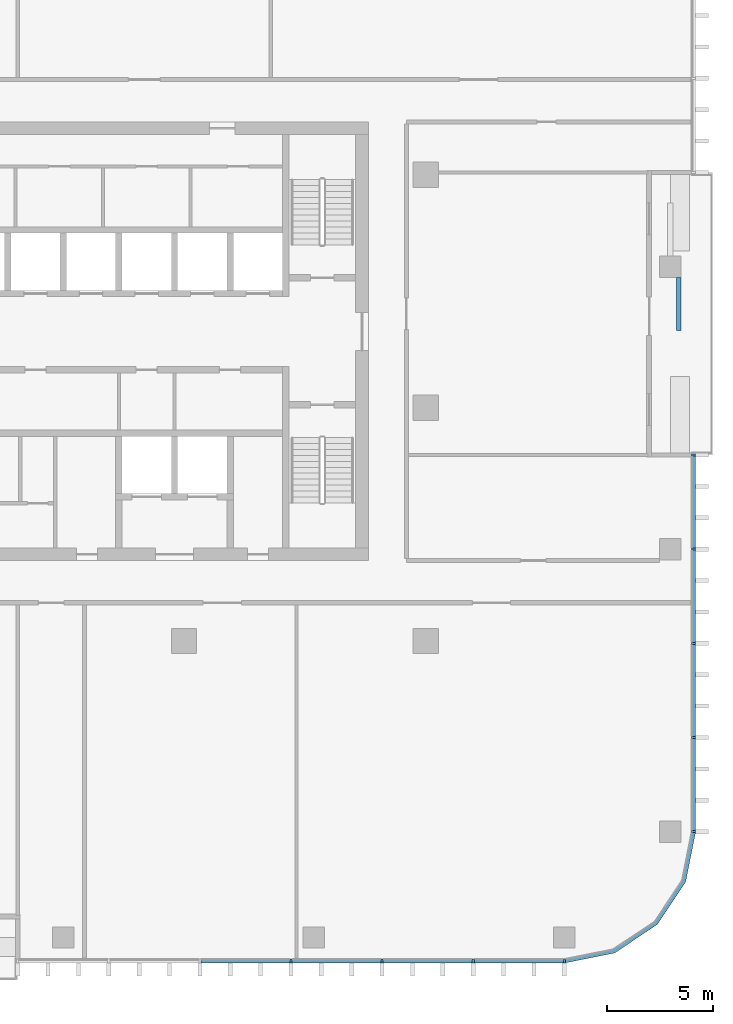
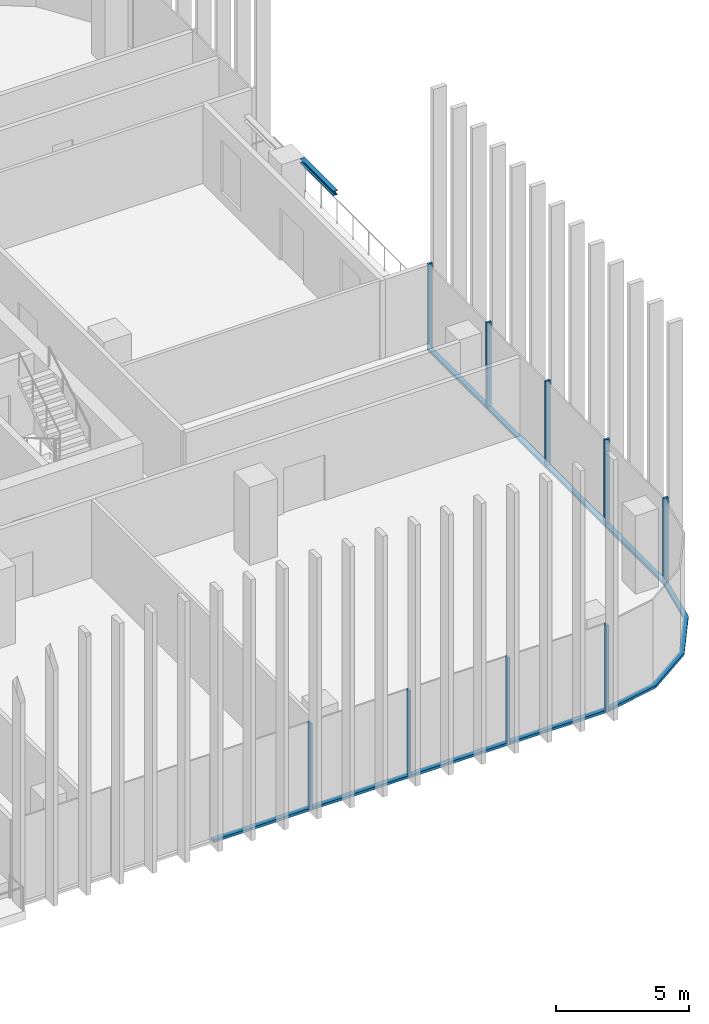
# One storey, part 3 of 16: 18 members, 1 beam, 3 elements without a shape of their own.
"""IFC4 building model written with IfcOpenShell, lengths in metres."""

from ifc_helpers import new_model, si_unit, direction, frame, origin, origin_2d, place, context, subcontext, project, spatial, polyline, rectangle, i_section, outline, extrude, material, material_profile, profile_set, type_object, element, aggregate, save


model = new_model("IFC4")

# Units and contexts
model_context = context("Model", 3, precision=1e-05, world=origin(), true_north=direction((0.0, 1.0)))
body_context = subcontext(model_context, "Body", "Model", "MODEL_VIEW")
ifc_project = project(units=[si_unit("LENGTHUNIT", "METRE"), si_unit("AREAUNIT", "SQUARE_METRE"), si_unit("VOLUMEUNIT", "CUBIC_METRE"), si_unit("PLANEANGLEUNIT", "RADIAN"), si_unit("MASSUNIT", "GRAM", prefix="KILO")], contexts=[model_context])

# Site, building, storey
site_placement = place(None, origin())
site = spatial("IfcSite", under=ifc_project, at=site_placement, CompositionType="ELEMENT")
building_placement = place(site_placement, origin())
building = spatial("IfcBuilding", under=site, at=building_placement, Name="Mopane Tessera Tower", CompositionType="ELEMENT")
storey_placement = place(building_placement, frame((0.0, 0.0, 291.39990234375)))
storey = spatial("IfcBuildingStorey", under=building, at=storey_placement, Name="L63", CompositionType="ELEMENT", Elevation=291.39990234375)

# Curtain wall, members
ifc_material_1 = material(Name="Aluminium frame", Category="aluminium")
curtain_wall_type = type_object("IfcCurtainWallType", Name="Unitised curtain wall", PredefinedType="NOTDEFINED", material=ifc_material_1)
curtain_wall_1_placement = place(storey_placement, origin())
curtain_wall_1 = element("IfcCurtainWall", 1, at=curtain_wall_1_placement, inside=storey, type_object=curtain_wall_type, Name="e:cw:L63:S:5", PredefinedType="NOTDEFINED")
ifc_material_2 = material(Name="Aluminium frame", Category="aluminium")
ifc_material_profile_1 = material_profile(ifc_material_2, rectangle(XDim=0.10009765625, YDim=0.199951171875, at=origin_2d()))
ifc_profile_set_1 = profile_set([ifc_material_profile_1], Name="Aluminium frame")
member_type_1 = type_object("IfcMemberType", Name="Aluminium mullion 100 x 200", PredefinedType="MULLION", material=ifc_profile_set_1)
member_1_placement = place(storey_placement, frame((10.75, -26.10009765625, -0.39990234375), z_axis=(0.0, 0.0, 1.0), x_axis=(1.0, 0.0, 0.0)))
member_1 = element("IfcMember", 2, at=member_1_placement, type_object=member_type_1, Name="e:cw:L63:S:5:mu8", PredefinedType="MULLION", context=body_context, shape_type="SweptSolid", body=[
    extrude(rectangle(XDim=0.10009765625, YDim=0.199951171875, at=origin_2d()), origin(), (0.0, 0.0, 1.0), 4.0),
])
member_2_placement = place(storey_placement, frame((15.050048828125, -26.10009765625, -0.39990234375), z_axis=(0.0, 0.0, 1.0), x_axis=(1.0, 0.0, 0.0)))
member_2 = element("IfcMember", 3, at=member_2_placement, type_object=member_type_1, Name="e:cw:L63:S:5:mu9", PredefinedType="MULLION", context=body_context, shape_type="SweptSolid", body=[
    extrude(rectangle(XDim=0.10009765625, YDim=0.199951171875, at=origin_2d()), origin(), (0.0, 0.0, 1.0), 4.0),
])
member_3_placement = place(storey_placement, frame((19.35009765625, -26.10009765625, -0.39990234375), z_axis=(0.0, 0.0, 1.0), x_axis=(1.0, 0.0, 0.0)))
member_3 = element("IfcMember", 4, at=member_3_placement, type_object=member_type_1, Name="e:cw:L63:S:5:mu10", PredefinedType="MULLION", context=body_context, shape_type="SweptSolid", body=[
    extrude(rectangle(XDim=0.10009765625, YDim=0.199951171875, at=origin_2d()), origin(), (0.0, 0.0, 1.0), 4.0),
])
member_4_placement = place(storey_placement, frame((23.64990234375, -26.10009765625, -0.39990234375), z_axis=(0.0, 0.0, 1.0), x_axis=(1.0, 0.0, 0.0)))
member_4 = element("IfcMember", 5, at=member_4_placement, type_object=member_type_1, Name="e:cw:L63:S:5:mu11", PredefinedType="MULLION", context=body_context, shape_type="SweptSolid", body=[
    extrude(rectangle(XDim=0.10009765625, YDim=0.199951171875, at=origin_2d()), origin(), (0.0, 0.0, 1.0), 4.0),
])

curtain_wall_2_placement = place(storey_placement, origin())
curtain_wall_2 = element("IfcCurtainWall", 6, at=curtain_wall_2_placement, inside=storey, type_object=curtain_wall_type, Name="e:cw:L63:E:0", PredefinedType="NOTDEFINED")
member_5_placement = place(storey_placement, frame((29.75, -20.0, -0.39990234375), z_axis=(0.0, 0.0, 1.0), x_axis=(0.0, 1.0, 0.0)))
member_5 = element("IfcMember", 7, at=member_5_placement, type_object=member_type_1, Name="e:cw:L63:E:0:mu0", PredefinedType="MULLION", context=body_context, shape_type="SweptSolid", body=[
    extrude(rectangle(XDim=0.10009765625, YDim=0.199951171875, at=origin_2d()), origin(), (0.0, 0.0, 1.0), 4.0),
])
member_6_placement = place(storey_placement, frame((29.75, -15.5556640625, -0.39990234375), z_axis=(0.0, 0.0, 1.0), x_axis=(0.0, 1.0, 0.0)))
member_6 = element("IfcMember", 8, at=member_6_placement, type_object=member_type_1, Name="e:cw:L63:E:0:mu1", PredefinedType="MULLION", context=body_context, shape_type="SweptSolid", body=[
    extrude(rectangle(XDim=0.10009765625, YDim=0.199951171875, at=origin_2d()), origin(), (0.0, 0.0, 1.0), 4.0),
])
member_7_placement = place(storey_placement, frame((29.75, -11.111083984375, -0.39990234375), z_axis=(0.0, 0.0, 1.0), x_axis=(0.0, 1.0, 0.0)))
member_7 = element("IfcMember", 9, at=member_7_placement, type_object=member_type_1, Name="e:cw:L63:E:0:mu2", PredefinedType="MULLION", context=body_context, shape_type="SweptSolid", body=[
    extrude(rectangle(XDim=0.10009765625, YDim=0.199951171875, at=origin_2d()), origin(), (0.0, 0.0, 1.0), 4.0),
])
member_8_placement = place(storey_placement, frame((29.75, -6.666748046875, -0.39990234375), z_axis=(0.0, 0.0, 1.0), x_axis=(0.0, 1.0, 0.0)))
member_8 = element("IfcMember", 10, at=member_8_placement, type_object=member_type_1, Name="e:cw:L63:E:0:mu3", PredefinedType="MULLION", context=body_context, shape_type="SweptSolid", body=[
    extrude(rectangle(XDim=0.10009765625, YDim=0.199951171875, at=origin_2d()), origin(), (0.0, 0.0, 1.0), 4.0),
])
member_9_placement = place(storey_placement, frame((29.75, -2.22216796875, -0.39990234375), z_axis=(0.0, 0.0, 1.0), x_axis=(0.0, 1.0, 0.0)))
member_9 = element("IfcMember", 11, at=member_9_placement, type_object=member_type_1, Name="e:cw:L63:E:0:mu4", PredefinedType="MULLION", context=body_context, shape_type="SweptSolid", body=[
    extrude(rectangle(XDim=0.10009765625, YDim=0.199951171875, at=origin_2d()), origin(), (0.0, 0.0, 1.0), 4.0),
])

# Member
ifc_material_3 = material(Name="Aluminium frame", Category="aluminium")
ifc_material_profile_2 = material_profile(ifc_material_3, rectangle(XDim=0.199951171875, YDim=0.1201171875, at=origin_2d()))
ifc_profile_set_2 = profile_set([ifc_material_profile_2], Name="Aluminium frame")
member_type_2 = type_object("IfcMemberType", Name="Aluminium transom 200 x 120", PredefinedType="USERDEFINED", material=ifc_profile_set_2)
member_10_placement = place(storey_placement, frame((6.5, -26.10009765625, -0.33984375), z_axis=(1.0, 0.0, 0.0), x_axis=(0.0, 1.0, 0.0)))
member_10 = element("IfcMember", 12, at=member_10_placement, type_object=member_type_2, Name="e:cw:L63:S:5:tr7", ObjectType="TRANSOM", PredefinedType="USERDEFINED", context=body_context, shape_type="SweptSolid", body=[
    extrude(rectangle(XDim=0.199951171875, YDim=0.1201171875, at=origin_2d()), origin(), (0.0, 0.0, 1.0), 4.199951171875),
])

member_11_placement = place(storey_placement, frame((10.800048828125, -26.10009765625, -0.33984375), z_axis=(1.0, 0.0, 0.0), x_axis=(0.0, 1.0, 0.0)))
member_11 = element("IfcMember", 13, at=member_11_placement, type_object=member_type_2, Name="e:cw:L63:S:5:tr8", ObjectType="TRANSOM", PredefinedType="USERDEFINED", context=body_context, shape_type="SweptSolid", body=[
    extrude(rectangle(XDim=0.199951171875, YDim=0.1201171875, at=origin_2d()), origin(), (0.0, 0.0, 1.0), 4.199951171875),
])

member_12_placement = place(storey_placement, frame((15.10009765625, -26.10009765625, -0.33984375), z_axis=(1.0, 0.0, 0.0), x_axis=(0.0, 1.0, 0.0)))
member_12 = element("IfcMember", 14, at=member_12_placement, type_object=member_type_2, Name="e:cw:L63:S:5:tr9", ObjectType="TRANSOM", PredefinedType="USERDEFINED", context=body_context, shape_type="SweptSolid", body=[
    extrude(rectangle(XDim=0.199951171875, YDim=0.1201171875, at=origin_2d()), origin(), (0.0, 0.0, 1.0), 4.199951171875),
])

member_13_placement = place(storey_placement, frame((19.39990234375, -26.10009765625, -0.33984375), z_axis=(1.0, 0.0, 0.0), x_axis=(0.0, 1.0, 0.0)))
member_13 = element("IfcMember", 15, at=member_13_placement, type_object=member_type_2, Name="e:cw:L63:S:5:tr10", ObjectType="TRANSOM", PredefinedType="USERDEFINED", context=body_context, shape_type="SweptSolid", body=[
    extrude(rectangle(XDim=0.199951171875, YDim=0.1201171875, at=origin_2d()), origin(), (0.0, 0.0, 1.0), 4.2001953125),
])

aggregate(curtain_wall_1, [member_1, member_2, member_3, member_4, member_10, member_11, member_12, member_13])

# Curtain wall, member
curtain_wall_3_placement = place(storey_placement, origin())
curtain_wall_3 = element("IfcCurtainWall", 16, at=curtain_wall_3_placement, inside=storey, type_object=curtain_wall_type, Name="e:cw:L63:CS", PredefinedType="NOTDEFINED")
member_14_placement = place(storey_placement, frame((0.0, 0.0, -0.39990234375)))
member_14 = element("IfcMember", 17, at=member_14_placement, type_object=member_type_2, Name="e:cw:L63:CS:tr", ObjectType="TRANSOM", PredefinedType="USERDEFINED", context=body_context, shape_type="SweptSolid", body=[
    extrude(outline(polyline([(23.64990234375, -26.0), (25.946044921875, -25.543212890625), (27.892578125, -24.24267578125), (29.193359375, -22.296142578125), (29.64990234375, -20.0), (29.85009765625, -20.0), (29.378173828125, -22.37255859375), (28.0341796875, -24.384033203125), (26.022705078125, -25.72802734375), (23.64990234375, -26.199951171875), (23.64990234375, -26.0)])), origin(), (0.0, 0.0, 1.0), 0.1201171875),
])
aggregate(curtain_wall_3, [member_14])

# Member
member_15_placement = place(storey_placement, frame((29.75, -19.949951171875, -0.33984375), z_axis=(0.0, 1.0, 0.0), x_axis=(-1.0, 0.0, 0.0)))
member_15 = element("IfcMember", 18, at=member_15_placement, type_object=member_type_2, Name="e:cw:L63:E:0:tr0", ObjectType="TRANSOM", PredefinedType="USERDEFINED", context=body_context, shape_type="SweptSolid", body=[
    extrude(rectangle(XDim=0.199951171875, YDim=0.1201171875, at=origin_2d()), origin(), (0.0, 0.0, 1.0), 4.344482421875),
])

member_16_placement = place(storey_placement, frame((29.75, -15.505615234375, -0.33984375), z_axis=(0.0, 1.0, 0.0), x_axis=(-1.0, 0.0, 0.0)))
member_16 = element("IfcMember", 19, at=member_16_placement, type_object=member_type_2, Name="e:cw:L63:E:0:tr1", ObjectType="TRANSOM", PredefinedType="USERDEFINED", context=body_context, shape_type="SweptSolid", body=[
    extrude(rectangle(XDim=0.199951171875, YDim=0.1201171875, at=origin_2d()), origin(), (0.0, 0.0, 1.0), 4.344482421875),
])

member_17_placement = place(storey_placement, frame((29.75, -11.06103515625, -0.33984375), z_axis=(0.0, 1.0, 0.0), x_axis=(-1.0, 0.0, 0.0)))
member_17 = element("IfcMember", 20, at=member_17_placement, type_object=member_type_2, Name="e:cw:L63:E:0:tr2", ObjectType="TRANSOM", PredefinedType="USERDEFINED", context=body_context, shape_type="SweptSolid", body=[
    extrude(rectangle(XDim=0.199951171875, YDim=0.1201171875, at=origin_2d()), origin(), (0.0, 0.0, 1.0), 4.344482421875),
])

member_18_placement = place(storey_placement, frame((29.75, -6.61669921875, -0.33984375), z_axis=(0.0, 1.0, 0.0), x_axis=(-1.0, 0.0, 0.0)))
member_18 = element("IfcMember", 21, at=member_18_placement, type_object=member_type_2, Name="e:cw:L63:E:0:tr3", ObjectType="TRANSOM", PredefinedType="USERDEFINED", context=body_context, shape_type="SweptSolid", body=[
    extrude(rectangle(XDim=0.199951171875, YDim=0.1201171875, at=origin_2d()), origin(), (0.0, 0.0, 1.0), 4.344482421875),
])

aggregate(curtain_wall_2, [member_5, member_6, member_7, member_8, member_9, member_15, member_16, member_17, member_18])

# Beam
ifc_material_4 = material(Name="Structural steel S460", Category="steel")
ifc_material_profile_3 = material_profile(ifc_material_4, i_section(OverallWidth=0.199951171875, OverallDepth=0.199951171875, WebThickness=0.009033203125, FlangeThickness=0.014892578125, FilletRadius=0.01806640625, at=origin_2d()))
ifc_profile_set_3 = profile_set([ifc_material_profile_3], Name="Structural steel S460")
beam_type = type_object("IfcBeamType", Name="Terrace trimmer beam HE 200 B", PredefinedType="BEAM", material=ifc_profile_set_3)
beam_placement = place(storey_placement, frame((29.0498046875, 6.163818359375, 3.5), z_axis=(0.0, -1.0, 0.0), x_axis=(1.0, 0.0, 0.0)))
element("IfcBeam", 22, at=beam_placement, inside=storey, type_object=beam_type, Name="Terrace trimmer beam N1 L64", PredefinedType="BEAM", context=body_context, shape_type="SweptSolid", body=[
    extrude(i_section(OverallWidth=0.199951171875, OverallDepth=0.199951171875, WebThickness=0.009033203125, FlangeThickness=0.014892578125, FilletRadius=0.01806640625, at=origin_2d()), origin(), (0.0, 0.0, 1.0), 2.5),
])

save(model, "model.ifc")
